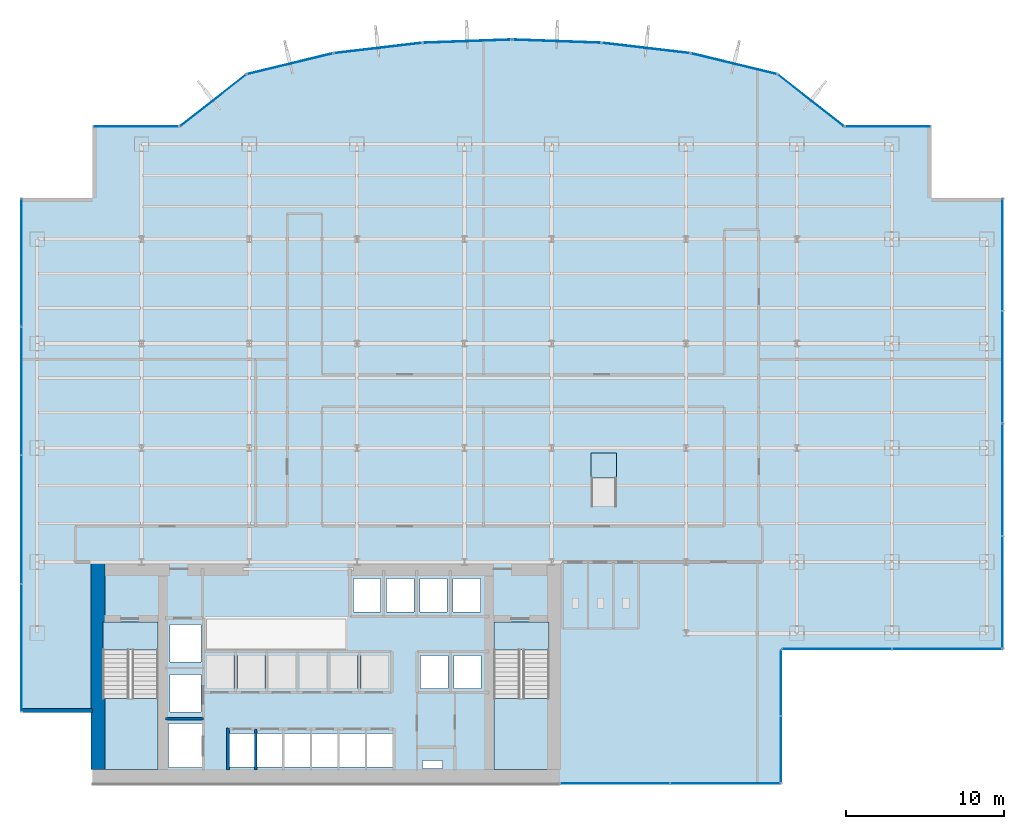
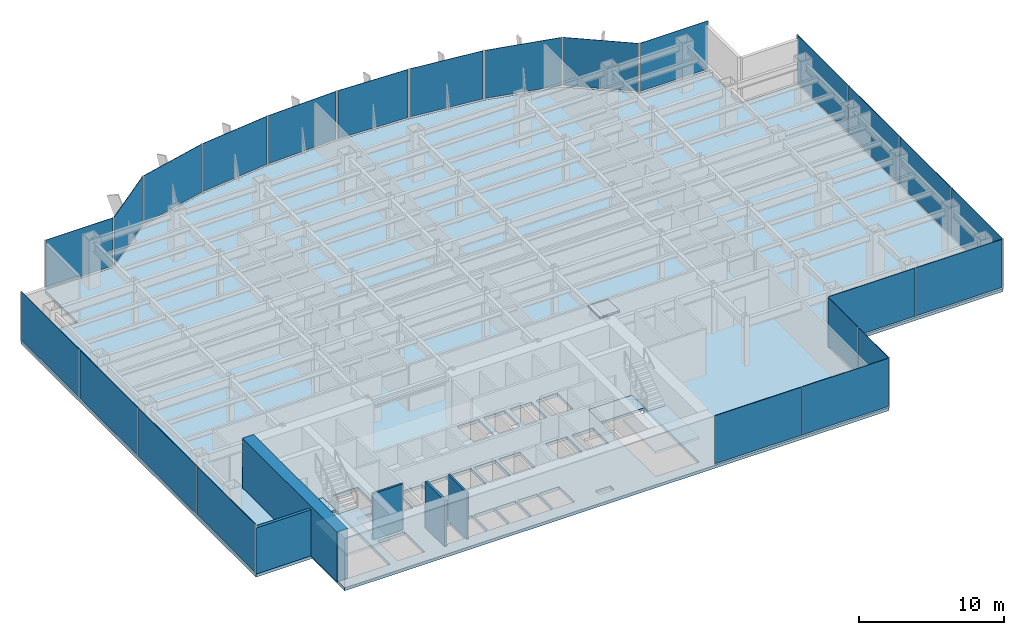
# One storey, part 27 of 35: 24 plates, 6 slabs, 5 walls, 18 elements without a shape of their own.
"""IFC4 building model written with IfcOpenShell, lengths in metres."""

from ifc_helpers import new_model, si_unit, derived_unit, direction, frame, frame_2d, origin, origin_2d, place, context, subcontext, project, spatial, polyline, rectangle, outline, extrude, source, transform, mapped, material, layer, layer_set, type_object, element, aggregate, save


model = new_model("IFC4")

# Units and contexts
model_context = context("Model", 3, precision=1e-05, world=origin(), true_north=direction((0.0, 1.0)))
body_context = subcontext(model_context, "Body", "Model", "MODEL_VIEW")
ifc_project = project(units=[si_unit("LENGTHUNIT", "METRE"), si_unit("AREAUNIT", "SQUARE_METRE"), si_unit("VOLUMEUNIT", "CUBIC_METRE"), si_unit("PLANEANGLEUNIT", "RADIAN"), si_unit("MASSUNIT", "GRAM", prefix="KILO"), derived_unit("THERMALTRANSMITTANCEUNIT", [(si_unit("POWERUNIT", "WATT"), 1), (si_unit("LENGTHUNIT", "METRE"), -2), (si_unit("THERMODYNAMICTEMPERATUREUNIT", "KELVIN"), -1)])], contexts=[model_context])

# Site, building, storey
site_placement = place(None, origin())
site = spatial("IfcSite", under=ifc_project, at=site_placement, CompositionType="ELEMENT")
building_placement = place(site_placement, origin())
building = spatial("IfcBuilding", under=site, at=building_placement, Name="Skarnbrae Concourse Arena and Tower", CompositionType="ELEMENT")
storey_placement = place(building_placement, frame((0.0, 0.0, 79.949951171875)))
storey = spatial("IfcBuildingStorey", under=building, at=storey_placement, Name="L19", CompositionType="ELEMENT", Elevation=79.949951171875)

# Stair, slab
ifc_material_1 = material(Name="Concrete 40 MPa (C40/50)", Category="concrete")
stair_type = type_object("IfcStairType", Name="STAIR-DOGLEG-1650", PredefinedType="HALF_TURN_STAIR", material=ifc_material_1)
stair_1_placement = place(storey_placement, origin())
stair_1 = element("IfcStair", 1, at=stair_1_placement, inside=storey, type_object=stair_type, Name="L19 Protected Exit Stair ST-1", PredefinedType="HALF_TURN_STAIR")
ifc_layer_1 = layer(ifc_material_1, 0.199951171875)
ifc_layer_set_1 = layer_set([ifc_layer_1], Name="Concrete 40 MPa (C40/50)")
slab_type_1 = type_object("IfcSlabType", Name="SLAB-LANDING-200", PredefinedType="LANDING", material=ifc_layer_set_1)
slab_1_placement = place(storey_placement, frame((0.0, 0.0, 1.900146484375)))
slab_1 = element("IfcSlab", 2, at=slab_1_placement, type_object=slab_type_1, Name="ST-1 landing 1", PredefinedType="LANDING", context=body_context, shape_type="SweptSolid", body=[
    extrude(outline(polyline([(5.14990234375, 5.3701171875), (5.14990234375, 0.89990234375), (8.64990234375, 0.89990234375), (8.64990234375, 5.3701171875), (5.14990234375, 5.3701171875)])), origin(), (0.0, 0.0, 1.0), 0.199951171875),
])
aggregate(stair_1, [slab_1])

stair_2_placement = place(storey_placement, origin())
stair_2 = element("IfcStair", 3, at=stair_2_placement, inside=storey, type_object=stair_type, Name="L19 Protected Exit Stair ST-2", PredefinedType="HALF_TURN_STAIR")
slab_2_placement = place(storey_placement, frame((0.0, 0.0, 1.900146484375)))
slab_2 = element("IfcSlab", 4, at=slab_2_placement, type_object=slab_type_1, Name="ST-2 landing 1", PredefinedType="LANDING", context=body_context, shape_type="SweptSolid", body=[
    extrude(outline(polyline([(29.85009765625, 5.3701171875), (29.85009765625, 0.89990234375), (33.35009765625, 0.89990234375), (33.35009765625, 5.3701171875), (29.85009765625, 5.3701171875)])), origin(), (0.0, 0.0, 1.0), 0.199951171875),
])
aggregate(stair_2, [slab_2])

# Slabs
slab_3_placement = place(storey_placement, frame((0.0, 0.0, -0.199951171875)))
element("IfcSlab", 5, at=slab_3_placement, inside=storey, type_object=slab_type_1, Name="L19 Core stair ST1 floor landing", PredefinedType="LANDING", context=body_context, shape_type="SweptSolid", body=[
    extrude(outline(polyline([(5.14990234375, 10.199951171875), (5.14990234375, 8.449951171875), (8.64990234375, 8.449951171875), (8.64990234375, 10.199951171875), (5.14990234375, 10.199951171875)])), origin(), (0.0, 0.0, 1.0), 0.199951171875),
])
slab_4_placement = place(storey_placement, frame((0.0, 0.0, -0.199951171875)))
element("IfcSlab", 6, at=slab_4_placement, inside=storey, type_object=slab_type_1, Name="L19 Core stair ST2 floor landing", PredefinedType="LANDING", context=body_context, shape_type="SweptSolid", body=[
    extrude(outline(polyline([(29.85009765625, 10.199951171875), (29.85009765625, 8.449951171875), (33.35009765625, 8.449951171875), (33.35009765625, 10.199951171875), (29.85009765625, 10.199951171875)])), origin(), (0.0, 0.0, 1.0), 0.199951171875),
])

# Ramp, slab
ramp_type = type_object("IfcRampType", Name="RAMP-ACC-1600", PredefinedType="STRAIGHT_RUN_RAMP", material=ifc_material_1)
ramp_placement = place(storey_placement, origin())
ramp = element("IfcRamp", 7, at=ramp_placement, inside=storey, type_object=ramp_type, Name="L19 Barrier-free accessible ramp R-A05", PredefinedType="STRAIGHT_RUN_RAMP")
slab_5_placement = place(storey_placement, origin())
slab_5 = element("IfcSlab", 8, at=slab_5_placement, type_object=slab_type_1, Name="L19 Accessible ramp top landing", PredefinedType="LANDING", context=body_context, shape_type="SweptSolid", body=[
    extrude(outline(polyline([(36.0, 19.300048828125), (37.60009765625, 19.300048828125), (37.60009765625, 20.89990234375), (36.0, 20.89990234375), (36.0, 19.300048828125)])), origin(), (0.0, 0.0, 1.0), 0.14013671875),
])
aggregate(ramp, [slab_5])

# Slab
ifc_layer_2 = layer(ifc_material_1, 0.25)
ifc_layer_set_2 = layer_set([ifc_layer_2], Name="Concrete 40 MPa (C40/50)")
slab_type_2 = type_object("IfcSlabType", Name="SLAB-TOWER-250", PredefinedType="FLOOR", material=ifc_layer_set_2)
slab_6_placement = place(storey_placement, frame((0.0, 0.0, -0.25)))
element("IfcSlab", 9, at=slab_6_placement, inside=storey, type_object=slab_type_2, Name="L19 Structural floor slab", PredefinedType="FLOOR", context=body_context, shape_type="SweptSolid", body=[
    extrude(outline(polyline([(4.5, 0.0), (48.0, 0.0), (48.0, 8.5), (62.0, 8.5), (62.0, 37.0), (57.5, 37.0), (57.5, 41.5), (52.0, 41.5), (47.766357421875, 44.811767578125), (42.2724609375, 46.140380859375), (36.65380859375, 46.796875), (31.0, 47.0), (25.34619140625, 46.796875), (19.7275390625, 46.140380859375), (14.233642578125, 44.811767578125), (10.0, 41.5), (4.5, 41.5), (4.5, 37.0), (0.0, 37.0), (0.0, 4.5), (4.5, 4.5), (4.5, 0.0)]), holes=[polyline([(13.14501953125, 3.155029296875), (14.7548828125, 3.155029296875), (14.7548828125, 1.044921875), (13.14501953125, 1.044921875), (13.14501953125, 3.155029296875)]), polyline([(16.4951171875, 3.155029296875), (16.4951171875, 1.044921875), (14.885009765625, 1.044921875), (14.885009765625, 3.155029296875), (16.4951171875, 3.155029296875)]), polyline([(18.235107421875, 3.155029296875), (18.235107421875, 1.044921875), (16.625, 1.044921875), (16.625, 3.155029296875), (18.235107421875, 3.155029296875)]), polyline([(18.364990234375, 3.155029296875), (19.97509765625, 3.155029296875), (19.97509765625, 1.044921875), (18.364990234375, 1.044921875), (18.364990234375, 3.155029296875)]), polyline([(11.455078125, 3.780029296875), (11.455078125, 1.02001953125), (9.294921875, 1.02001953125), (9.294921875, 3.780029296875), (11.455078125, 3.780029296875)]), polyline([(8.64990234375, 0.89990234375), (5.14990234375, 0.89990234375), (5.14990234375, 10.199951171875), (8.64990234375, 10.199951171875), (8.64990234375, 0.89990234375)]), polyline([(9.39501953125, 6.8798828125), (11.35498046875, 6.8798828125), (11.35498046875, 4.52001953125), (9.39501953125, 4.52001953125), (9.39501953125, 6.8798828125)]), polyline([(13.429931640625, 8.10498046875), (13.429931640625, 5.9951171875), (11.719970703125, 5.9951171875), (11.719970703125, 8.10498046875), (13.429931640625, 8.10498046875)]), polyline([(15.3798828125, 8.10498046875), (15.3798828125, 5.9951171875), (13.669921875, 5.9951171875), (13.669921875, 8.10498046875), (15.3798828125, 8.10498046875)]), polyline([(15.6201171875, 8.10498046875), (17.330078125, 8.10498046875), (17.330078125, 5.9951171875), (15.6201171875, 5.9951171875), (15.6201171875, 8.10498046875)]), polyline([(19.280029296875, 8.10498046875), (19.280029296875, 5.9951171875), (17.570068359375, 5.9951171875), (17.570068359375, 8.10498046875), (19.280029296875, 8.10498046875)]), polyline([(11.35498046875, 10.054931640625), (11.35498046875, 7.695068359375), (9.39501953125, 7.695068359375), (9.39501953125, 10.054931640625), (11.35498046875, 10.054931640625)]), polyline([(25.35009765625, 1.449951171875), (26.60009765625, 1.449951171875), (26.60009765625, 0.949951171875), (25.35009765625, 0.949951171875), (25.35009765625, 1.449951171875)]), polyline([(21.715087890625, 3.155029296875), (21.715087890625, 1.044921875), (20.10498046875, 1.044921875), (20.10498046875, 3.155029296875), (21.715087890625, 3.155029296875)]), polyline([(23.455078125, 3.155029296875), (23.455078125, 1.044921875), (21.844970703125, 1.044921875), (21.844970703125, 3.155029296875), (23.455078125, 3.155029296875)]), polyline([(33.35009765625, 10.199951171875), (33.35009765625, 0.89990234375), (29.85009765625, 0.89990234375), (29.85009765625, 10.199951171875), (33.35009765625, 10.199951171875)]), polyline([(21.22998046875, 8.10498046875), (21.22998046875, 5.9951171875), (19.52001953125, 5.9951171875), (19.52001953125, 8.10498046875), (21.22998046875, 8.10498046875)]), polyline([(23.179931640625, 8.10498046875), (23.179931640625, 5.9951171875), (21.469970703125, 5.9951171875), (21.469970703125, 8.10498046875), (23.179931640625, 8.10498046875)]), polyline([(25.235107421875, 8.10498046875), (26.945068359375, 8.10498046875), (26.945068359375, 5.9951171875), (25.235107421875, 5.9951171875), (25.235107421875, 8.10498046875)]), polyline([(29.044921875, 8.10498046875), (29.044921875, 5.9951171875), (27.3349609375, 5.9951171875), (27.3349609375, 8.10498046875), (29.044921875, 8.10498046875)]), polyline([(22.695068359375, 12.955078125), (22.695068359375, 10.844970703125), (20.985107421875, 10.844970703125), (20.985107421875, 12.955078125), (22.695068359375, 12.955078125)]), polyline([(23.0849609375, 12.955078125), (24.794921875, 12.955078125), (24.794921875, 10.844970703125), (23.0849609375, 10.844970703125), (23.0849609375, 12.955078125)]), polyline([(26.89501953125, 12.955078125), (26.89501953125, 10.844970703125), (25.18505859375, 10.844970703125), (25.18505859375, 12.955078125), (26.89501953125, 12.955078125)]), polyline([(28.9951171875, 12.955078125), (28.9951171875, 10.844970703125), (27.284912109375, 10.844970703125), (27.284912109375, 12.955078125), (28.9951171875, 12.955078125)])]), origin(), (0.0, 0.0, 1.0), 0.25),
])

# Curtain wall, plates
ifc_material_2 = material(Name="Bronze anodised aluminium 6063-T6", Category="aluminium")
curtain_wall_type = type_object("IfcCurtainWallType", Name="CW-SYS-06-SKYLOBBY", PredefinedType="USERDEFINED", material=ifc_material_2)
curtain_wall_1_placement = place(storey_placement, origin())
curtain_wall_1 = element("IfcCurtainWall", 10, at=curtain_wall_1_placement, inside=storey, type_object=curtain_wall_type, Name="L19 Unitised curtain wall CW-L19-SE-SPINE", ObjectType="UNITISED CURTAIN WALL", PredefinedType="USERDEFINED")
ifc_material_3 = material(Name="Low-E triple insulating glass", Category="glass")
ifc_layer_3 = layer(ifc_material_3, 0.0380859375)
ifc_layer_set_3 = layer_set([ifc_layer_3], Name="Low-E triple insulating glass")
plate_type = type_object("IfcPlateType", Name="CWP-CW-06", PredefinedType="CURTAIN_PANEL", material=ifc_layer_set_3)
shared_shape_1 = source(origin(), body_context, "Body", "SweptSolid", [
    extrude(rectangle(XDim=6.89501953125, YDim=0.0380859375, at=origin_2d()), origin(), (0.0, 0.0, 1.0), 4.06494140625),
])
plate_1_placement = place(storey_placement, frame((37.517578125, 0.0, 0.135009765625), z_axis=(0.0, 0.0, 1.0), x_axis=(1.0, 0.0, 0.0)))
plate_1 = element("IfcPlate", 11, at=plate_1_placement, type_object=plate_type, Name="CW-L19-SE-SPINE Low-E Glazing Panel 1", PredefinedType="CURTAIN_PANEL", context=body_context, shape_type="MappedRepresentation", body=[
    mapped(shared_shape_1, transform((0.0, 0.0, 0.0))),
])
plate_2_placement = place(storey_placement, frame((44.482421875, 0.0, 0.135009765625), z_axis=(0.0, 0.0, 1.0), x_axis=(1.0, 0.0, 0.0)))
plate_2 = element("IfcPlate", 12, at=plate_2_placement, type_object=plate_type, Name="CW-L19-SE-SPINE Low-E Glazing Panel 2", PredefinedType="CURTAIN_PANEL", context=body_context, shape_type="MappedRepresentation", body=[
    mapped(shared_shape_1, transform((0.0, 0.0, 0.0))),
])
aggregate(curtain_wall_1, [plate_1, plate_2])

curtain_wall_2_placement = place(storey_placement, origin())
curtain_wall_2 = element("IfcCurtainWall", 13, at=curtain_wall_2_placement, inside=storey, type_object=curtain_wall_type, Name="L19 Unitised curtain wall CW-L19-E03", ObjectType="UNITISED CURTAIN WALL", PredefinedType="USERDEFINED")
plate_3_placement = place(storey_placement, frame((51.517578125, 8.5, 0.135009765625), z_axis=(0.0, 0.0, 1.0), x_axis=(1.0, 0.0, 0.0)))
plate_3 = element("IfcPlate", 14, at=plate_3_placement, type_object=plate_type, Name="CW-L19-E03 Low-E Glazing Panel 1", PredefinedType="CURTAIN_PANEL", context=body_context, shape_type="MappedRepresentation", body=[
    mapped(shared_shape_1, transform((0.0, 0.0, 0.0))),
])
plate_4_placement = place(storey_placement, frame((58.482421875, 8.5, 0.135009765625), z_axis=(0.0, 0.0, 1.0), x_axis=(1.0, 0.0, 0.0)))
plate_4 = element("IfcPlate", 15, at=plate_4_placement, type_object=plate_type, Name="CW-L19-E03 Low-E Glazing Panel 2", PredefinedType="CURTAIN_PANEL", context=body_context, shape_type="MappedRepresentation", body=[
    mapped(shared_shape_1, transform((0.0, 0.0, 0.0))),
])
aggregate(curtain_wall_2, [plate_3, plate_4])

curtain_wall_3_placement = place(storey_placement, origin())
curtain_wall_3 = element("IfcCurtainWall", 16, at=curtain_wall_3_placement, inside=storey, type_object=curtain_wall_type, Name="L19 Unitised curtain wall CW-L19-E02", ObjectType="UNITISED CURTAIN WALL", PredefinedType="USERDEFINED")
shared_shape_2 = source(origin(), body_context, "Body", "SweptSolid", [
    extrude(rectangle(XDim=4.14501953125, YDim=0.0380859375, at=origin_2d()), origin(), (0.0, 0.0, 1.0), 4.06494140625),
])
plate_5_placement = place(storey_placement, frame((48.0, 2.142578125, 0.135009765625), z_axis=(0.0, 0.0, 1.0), x_axis=(0.0, 1.0, 0.0)))
plate_5 = element("IfcPlate", 17, at=plate_5_placement, type_object=plate_type, Name="CW-L19-E02 Low-E Glazing Panel 1", PredefinedType="CURTAIN_PANEL", context=body_context, shape_type="MappedRepresentation", body=[
    mapped(shared_shape_2, transform((0.0, 0.0, 0.0))),
])
plate_6_placement = place(storey_placement, frame((48.0, 6.357421875, 0.135009765625), z_axis=(0.0, 0.0, 1.0), x_axis=(0.0, 1.0, 0.0)))
plate_6 = element("IfcPlate", 18, at=plate_6_placement, type_object=plate_type, Name="CW-L19-E02 Low-E Glazing Panel 2", PredefinedType="CURTAIN_PANEL", context=body_context, shape_type="MappedRepresentation", body=[
    mapped(shared_shape_2, transform((0.0, 0.0, 0.0))),
])
aggregate(curtain_wall_3, [plate_5, plate_6])

curtain_wall_4_placement = place(storey_placement, origin())
curtain_wall_4 = element("IfcCurtainWall", 19, at=curtain_wall_4_placement, inside=storey, type_object=curtain_wall_type, Name="L19 Unitised curtain wall CW-L19-E04", ObjectType="UNITISED CURTAIN WALL", PredefinedType="USERDEFINED")
shared_shape_3 = source(origin(), body_context, "Body", "SweptSolid", [
    extrude(rectangle(XDim=7.02001953125, YDim=0.0380859375, at=origin_2d()), origin(), (0.0, 0.0, 1.0), 4.06494140625),
])
plate_7_placement = place(storey_placement, frame((62.0, 12.080078125, 0.135009765625), z_axis=(0.0, 0.0, 1.0), x_axis=(0.0, 1.0, 0.0)))
plate_7 = element("IfcPlate", 20, at=plate_7_placement, type_object=plate_type, Name="CW-L19-E04 Low-E Glazing Panel 1", PredefinedType="CURTAIN_PANEL", context=body_context, shape_type="MappedRepresentation", body=[
    mapped(shared_shape_3, transform((0.0, 0.0, 0.0))),
])
plate_8_placement = place(storey_placement, frame((62.0, 33.419921875, 0.135009765625), z_axis=(0.0, 0.0, 1.0), x_axis=(0.0, 1.0, 0.0)))
plate_8 = element("IfcPlate", 21, at=plate_8_placement, type_object=plate_type, Name="CW-L19-E04 Low-E Glazing Panel 4", PredefinedType="CURTAIN_PANEL", context=body_context, shape_type="MappedRepresentation", body=[
    mapped(shared_shape_3, transform((0.0, 0.0, 0.0))),
])
shared_shape_4 = source(origin(), body_context, "Body", "SweptSolid", [
    extrude(rectangle(XDim=7.054931640625, YDim=0.0380859375, at=origin_2d()), origin(), (0.0, 0.0, 1.0), 4.06494140625),
])
plate_9_placement = place(storey_placement, frame((62.0, 19.1875, 0.135009765625), z_axis=(0.0, 0.0, 1.0), x_axis=(0.0, 1.0, 0.0)))
plate_9 = element("IfcPlate", 22, at=plate_9_placement, type_object=plate_type, Name="CW-L19-E04 Low-E Glazing Panel 2", PredefinedType="CURTAIN_PANEL", context=body_context, shape_type="MappedRepresentation", body=[
    mapped(shared_shape_4, transform((0.0, 0.0, 0.0))),
])
plate_10_placement = place(storey_placement, frame((62.0, 26.3125, 0.135009765625), z_axis=(0.0, 0.0, 1.0), x_axis=(0.0, 1.0, 0.0)))
plate_10 = element("IfcPlate", 23, at=plate_10_placement, type_object=plate_type, Name="CW-L19-E04 Low-E Glazing Panel 3", PredefinedType="CURTAIN_PANEL", context=body_context, shape_type="MappedRepresentation", body=[
    mapped(shared_shape_4, transform((0.0, 0.0, 0.0))),
])
aggregate(curtain_wall_4, [plate_7, plate_9, plate_10, plate_8])

# Curtain wall, plate
curtain_wall_5_placement = place(storey_placement, origin())
curtain_wall_5 = element("IfcCurtainWall", 24, at=curtain_wall_5_placement, inside=storey, type_object=curtain_wall_type, Name="L19 Unitised curtain wall CW-L19-E07", ObjectType="UNITISED CURTAIN WALL", PredefinedType="USERDEFINED")
shared_shape_5 = source(origin(), body_context, "Body", "SweptSolid", [
    extrude(rectangle(XDim=5.360107421875, YDim=0.0380859375, at=origin_2d()), origin(), (0.0, 0.0, 1.0), 4.06494140625),
])
plate_11_placement = place(storey_placement, frame((54.75, 41.5, 0.135009765625), z_axis=(0.0, 0.0, 1.0), x_axis=(-1.0, 0.0, 0.0)))
plate_11 = element("IfcPlate", 25, at=plate_11_placement, type_object=plate_type, Name="CW-L19-E07 Low-E Glazing Panel 1", PredefinedType="CURTAIN_PANEL", context=body_context, shape_type="MappedRepresentation", body=[
    mapped(shared_shape_5, transform((0.0, 0.0, 0.0))),
])
aggregate(curtain_wall_5, [plate_11])

curtain_wall_6_placement = place(storey_placement, origin())
curtain_wall_6 = element("IfcCurtainWall", 26, at=curtain_wall_6_placement, inside=storey, type_object=curtain_wall_type, Name="L19 Unitised curtain wall CW-L19-E16", ObjectType="UNITISED CURTAIN WALL", PredefinedType="USERDEFINED")
plate_12_placement = place(storey_placement, frame((7.25, 41.5, 0.135009765625), z_axis=(0.0, 0.0, 1.0), x_axis=(-1.0, 0.0, 0.0)))
plate_12 = element("IfcPlate", 27, at=plate_12_placement, type_object=plate_type, Name="CW-L19-E16 Low-E Glazing Panel 1", PredefinedType="CURTAIN_PANEL", context=body_context, shape_type="MappedRepresentation", body=[
    mapped(shared_shape_5, transform((0.0, 0.0, 0.0))),
])
aggregate(curtain_wall_6, [plate_12])

curtain_wall_7_placement = place(storey_placement, origin())
curtain_wall_7 = element("IfcCurtainWall", 28, at=curtain_wall_7_placement, inside=storey, type_object=curtain_wall_type, Name="L19 Unitised curtain wall CW-L19-E08", ObjectType="UNITISED CURTAIN WALL", PredefinedType="USERDEFINED")
shared_shape_6 = source(origin(), body_context, "Body", "SweptSolid", [
    extrude(rectangle(XDim=5.235107421875, YDim=0.0380859375, at=origin_2d()), origin(), (0.0, 0.0, 1.0), 4.06494140625),
])
plate_13_placement = place(storey_placement, frame((49.88330078125, 43.156005859375, 0.135009765625), z_axis=(0.0, 0.0, 1.0), x_axis=(-0.787651726054, 0.616120733658, 0.0)))
plate_13 = element("IfcPlate", 29, at=plate_13_placement, type_object=plate_type, Name="CW-L19-E08 Low-E Glazing Panel 1", PredefinedType="CURTAIN_PANEL", context=body_context, shape_type="MappedRepresentation", body=[
    mapped(shared_shape_6, transform((0.0, 0.0, 0.0))),
])
aggregate(curtain_wall_7, [plate_13])

curtain_wall_8_placement = place(storey_placement, origin())
curtain_wall_8 = element("IfcCurtainWall", 30, at=curtain_wall_8_placement, inside=storey, type_object=curtain_wall_type, Name="L19 Unitised curtain wall CW-L19-E15", ObjectType="UNITISED CURTAIN WALL", PredefinedType="USERDEFINED")
plate_14_placement = place(storey_placement, frame((12.11669921875, 43.156005859375, 0.135009765625), z_axis=(0.0, 0.0, 1.0), x_axis=(-0.787651726054, -0.616120733658, 0.0)))
plate_14 = element("IfcPlate", 31, at=plate_14_placement, type_object=plate_type, Name="CW-L19-E15 Low-E Glazing Panel 1", PredefinedType="CURTAIN_PANEL", context=body_context, shape_type="MappedRepresentation", body=[
    mapped(shared_shape_6, transform((0.0, 0.0, 0.0))),
])
aggregate(curtain_wall_8, [plate_14])

curtain_wall_9_placement = place(storey_placement, origin())
curtain_wall_9 = element("IfcCurtainWall", 32, at=curtain_wall_9_placement, inside=storey, type_object=curtain_wall_type, Name="L19 Unitised curtain wall CW-L19-E09", ObjectType="UNITISED CURTAIN WALL", PredefinedType="USERDEFINED")
shared_shape_7 = source(origin(), body_context, "Body", "SweptSolid", [
    extrude(rectangle(XDim=5.51220703125, YDim=0.0380859375, at=origin_2d()), origin(), (0.0, 0.0, 1.0), 4.06494140625),
])
plate_15_placement = place(storey_placement, frame((45.019287109375, 45.47607421875, 0.135009765625), z_axis=(0.0, 0.0, 1.0), x_axis=(-0.971973721569, 0.235089524607, 0.0)))
plate_15 = element("IfcPlate", 33, at=plate_15_placement, type_object=plate_type, Name="CW-L19-E09 Low-E Glazing Panel 1", PredefinedType="CURTAIN_PANEL", context=body_context, shape_type="MappedRepresentation", body=[
    mapped(shared_shape_7, transform((0.0, 0.0, 0.0))),
])
aggregate(curtain_wall_9, [plate_15])

curtain_wall_10_placement = place(storey_placement, origin())
curtain_wall_10 = element("IfcCurtainWall", 34, at=curtain_wall_10_placement, inside=storey, type_object=curtain_wall_type, Name="L19 Unitised curtain wall CW-L19-E14", ObjectType="UNITISED CURTAIN WALL", PredefinedType="USERDEFINED")
plate_16_placement = place(storey_placement, frame((16.980712890625, 45.47607421875, 0.135009765625), z_axis=(0.0, 0.0, 1.0), x_axis=(-0.971973721569, -0.235089524607, 0.0)))
plate_16 = element("IfcPlate", 35, at=plate_16_placement, type_object=plate_type, Name="CW-L19-E14 Low-E Glazing Panel 1", PredefinedType="CURTAIN_PANEL", context=body_context, shape_type="MappedRepresentation", body=[
    mapped(shared_shape_7, transform((0.0, 0.0, 0.0))),
])
aggregate(curtain_wall_10, [plate_16])

curtain_wall_11_placement = place(storey_placement, origin())
curtain_wall_11 = element("IfcCurtainWall", 36, at=curtain_wall_11_placement, inside=storey, type_object=curtain_wall_type, Name="L19 Unitised curtain wall CW-L19-E10", ObjectType="UNITISED CURTAIN WALL", PredefinedType="USERDEFINED")
shared_shape_8 = source(origin(), body_context, "Body", "SweptSolid", [
    extrude(rectangle(XDim=5.5166015625, YDim=0.0380859375, at=origin_2d()), origin(), (0.0, 0.0, 1.0), 4.06494140625),
])
plate_17_placement = place(storey_placement, frame((39.463134765625, 46.46875, 0.135009765625), z_axis=(0.0, 0.0, 1.0), x_axis=(-0.99324457001, 0.116039752435, 0.0)))
plate_17 = element("IfcPlate", 37, at=plate_17_placement, type_object=plate_type, Name="CW-L19-E10 Low-E Glazing Panel 1", PredefinedType="CURTAIN_PANEL", context=body_context, shape_type="MappedRepresentation", body=[
    mapped(shared_shape_8, transform((0.0, 0.0, 0.0))),
])
aggregate(curtain_wall_11, [plate_17])

curtain_wall_12_placement = place(storey_placement, origin())
curtain_wall_12 = element("IfcCurtainWall", 38, at=curtain_wall_12_placement, inside=storey, type_object=curtain_wall_type, Name="L19 Unitised curtain wall CW-L19-E13", ObjectType="UNITISED CURTAIN WALL", PredefinedType="USERDEFINED")
plate_18_placement = place(storey_placement, frame((22.536865234375, 46.46875, 0.135009765625), z_axis=(0.0, 0.0, 1.0), x_axis=(-0.99324457001, -0.116039752435, 0.0)))
plate_18 = element("IfcPlate", 39, at=plate_18_placement, type_object=plate_type, Name="CW-L19-E13 Low-E Glazing Panel 1", PredefinedType="CURTAIN_PANEL", context=body_context, shape_type="MappedRepresentation", body=[
    mapped(shared_shape_8, transform((0.0, 0.0, 0.0))),
])
aggregate(curtain_wall_12, [plate_18])

curtain_wall_13_placement = place(storey_placement, origin())
curtain_wall_13 = element("IfcCurtainWall", 40, at=curtain_wall_13_placement, inside=storey, type_object=curtain_wall_type, Name="L19 Unitised curtain wall CW-L19-E11", ObjectType="UNITISED CURTAIN WALL", PredefinedType="USERDEFINED")
shared_shape_9 = source(origin(), body_context, "Body", "SweptSolid", [
    extrude(rectangle(XDim=5.517578125, YDim=0.0380859375, at=origin_2d()), origin(), (0.0, 0.0, 1.0), 4.06494140625),
])
plate_19_placement = place(storey_placement, frame((33.826904296875, 46.8984375, 0.135009765625), z_axis=(0.0, 0.0, 1.0), x_axis=(-0.999355425188, 0.035898943527, 0.0)))
plate_19 = element("IfcPlate", 41, at=plate_19_placement, type_object=plate_type, Name="CW-L19-E11 Low-E Glazing Panel 1", PredefinedType="CURTAIN_PANEL", context=body_context, shape_type="MappedRepresentation", body=[
    mapped(shared_shape_9, transform((0.0, 0.0, 0.0))),
])
aggregate(curtain_wall_13, [plate_19])

curtain_wall_14_placement = place(storey_placement, origin())
curtain_wall_14 = element("IfcCurtainWall", 42, at=curtain_wall_14_placement, inside=storey, type_object=curtain_wall_type, Name="L19 Unitised curtain wall CW-L19-E12", ObjectType="UNITISED CURTAIN WALL", PredefinedType="USERDEFINED")
plate_20_placement = place(storey_placement, frame((28.173095703125, 46.8984375, 0.135009765625), z_axis=(0.0, 0.0, 1.0), x_axis=(-0.999355425188, -0.035898943527, 0.0)))
plate_20 = element("IfcPlate", 43, at=plate_20_placement, type_object=plate_type, Name="CW-L19-E12 Low-E Glazing Panel 1", PredefinedType="CURTAIN_PANEL", context=body_context, shape_type="MappedRepresentation", body=[
    mapped(shared_shape_9, transform((0.0, 0.0, 0.0))),
])
aggregate(curtain_wall_14, [plate_20])

# Curtain wall, plates
curtain_wall_15_placement = place(storey_placement, origin())
curtain_wall_15 = element("IfcCurtainWall", 44, at=curtain_wall_15_placement, inside=storey, type_object=curtain_wall_type, Name="L19 Unitised curtain wall CW-L19-E19", ObjectType="UNITISED CURTAIN WALL", PredefinedType="USERDEFINED")
shared_shape_10 = source(origin(), body_context, "Body", "SweptSolid", [
    extrude(rectangle(XDim=8.02001953125, YDim=0.0380859375, at=origin_2d()), origin(), (0.0, 0.0, 1.0), 4.06494140625),
])
plate_21_placement = place(storey_placement, frame((0.0, 32.919921875, 0.135009765625), z_axis=(0.0, 0.0, 1.0), x_axis=(0.0, -1.0, 0.0)))
plate_21 = element("IfcPlate", 45, at=plate_21_placement, type_object=plate_type, Name="CW-L19-E19 Low-E Glazing Panel 1", PredefinedType="CURTAIN_PANEL", context=body_context, shape_type="MappedRepresentation", body=[
    mapped(shared_shape_10, transform((0.0, 0.0, 0.0))),
])
plate_22_placement = place(storey_placement, frame((0.0, 8.580078125, 0.135009765625), z_axis=(0.0, 0.0, 1.0), x_axis=(0.0, -1.0, 0.0)))
plate_22 = element("IfcPlate", 46, at=plate_22_placement, type_object=plate_type, Name="CW-L19-E19 Low-E Glazing Panel 4", PredefinedType="CURTAIN_PANEL", context=body_context, shape_type="MappedRepresentation", body=[
    mapped(shared_shape_10, transform((0.0, 0.0, 0.0))),
])
shared_shape_11 = source(origin(), body_context, "Body", "SweptSolid", [
    extrude(rectangle(XDim=8.054931640625, YDim=0.0380859375, at=origin_2d()), origin(), (0.0, 0.0, 1.0), 4.06494140625),
])
plate_23_placement = place(storey_placement, frame((0.0, 24.8125, 0.135009765625), z_axis=(0.0, 0.0, 1.0), x_axis=(0.0, -1.0, 0.0)))
plate_23 = element("IfcPlate", 47, at=plate_23_placement, type_object=plate_type, Name="CW-L19-E19 Low-E Glazing Panel 2", PredefinedType="CURTAIN_PANEL", context=body_context, shape_type="MappedRepresentation", body=[
    mapped(shared_shape_11, transform((0.0, 0.0, 0.0))),
])
plate_24_placement = place(storey_placement, frame((0.0, 16.6875, 0.135009765625), z_axis=(0.0, 0.0, 1.0), x_axis=(0.0, -1.0, 0.0)))
plate_24 = element("IfcPlate", 48, at=plate_24_placement, type_object=plate_type, Name="CW-L19-E19 Low-E Glazing Panel 3", PredefinedType="CURTAIN_PANEL", context=body_context, shape_type="MappedRepresentation", body=[
    mapped(shared_shape_11, transform((0.0, 0.0, 0.0))),
])
aggregate(curtain_wall_15, [plate_21, plate_23, plate_24, plate_22])

# Walls
ifc_material_4 = material(Name="Concrete 70 MPa (C70/85)", Category="concrete")
ifc_layer_4 = layer(ifc_material_4, 0.89990234375)
ifc_layer_set_4 = layer_set([ifc_layer_4], Name="Concrete 70 MPa (C70/85)")
wall_type_1 = type_object("IfcWallType", Name="WALL-CORE-900-C70", PredefinedType="SHEAR", material=ifc_layer_set_4)
shared_shape_12 = source(origin(), body_context, "Body", "SweptSolid", [
    extrude(rectangle(XDim=13.10009765625, YDim=0.89990234375, at=frame_2d((6.550048828125, 0.0))), origin(), (0.0, 0.0, 1.0), 4.199951171875),
])
wall_1_placement = place(storey_placement, frame((4.85009765625, 0.89990234375, 0.0), z_axis=(0.0, 0.0, 1.0), x_axis=(0.0, 1.0, 0.0)))
element("IfcWall", 49, at=wall_1_placement, inside=storey, type_object=wall_type_1, Name="L19 Rear core shear wall CW-W", PredefinedType="SHEAR", context=body_context, shape_type="MappedRepresentation", body=[
    mapped(shared_shape_12, transform((0.0, 0.0, 0.0))),
])
ifc_material_5 = material(Name="Precast concrete 40 MPa (C40/50)", Category="concrete")
ifc_layer_5 = layer(ifc_material_5, 0.25)
ifc_layer_set_5 = layer_set([ifc_layer_5], Name="Precast concrete 40 MPa (C40/50)")
wall_type_2 = type_object("IfcWallType", Name="WALL-EXT-SPANDREL-250", PredefinedType="STANDARD", material=ifc_layer_set_5)
shared_shape_13 = source(origin(), body_context, "Body", "SweptSolid", [
    extrude(rectangle(XDim=4.5, YDim=0.25, at=frame_2d((2.25, 0.0))), origin(), (0.0, 0.0, 1.0), 3.900146484375),
])
wall_2_placement = place(storey_placement, frame((0.0, 4.625, 0.0), z_axis=(0.0, 0.0, 1.0), x_axis=(1.0, 0.0, 0.0)))
element("IfcWall", 50, at=wall_2_placement, inside=storey, type_object=wall_type_2, Name="L19 Notched corner insulated return wall 20", PredefinedType="STANDARD", context=body_context, shape_type="MappedRepresentation", body=[
    mapped(shared_shape_13, transform((0.0, 0.0, 0.0))),
])
ifc_material_6 = material(Name="Gypsum board on cold-formed steel studs", Category="steel")
ifc_layer_6 = layer(ifc_material_6, 0.14990234375)
ifc_layer_set_6 = layer_set([ifc_layer_6], Name="Gypsum board on cold-formed steel studs")
wall_type_3 = type_object("IfcWallType", Name="WALL-PART-150", PredefinedType="PARTITIONING", material=ifc_layer_set_6)
shared_shape_14 = source(origin(), body_context, "Body", "SweptSolid", [
    extrude(rectangle(XDim=2.39990234375, YDim=0.14990234375, at=frame_2d((1.199951171875, 0.0))), origin(), (0.0, 0.0, 1.0), 3.900146484375),
])
wall_3_placement = place(storey_placement, frame((9.10009765625, 4.10009765625, 0.0), z_axis=(0.0, 0.0, 1.0), x_axis=(1.0, 0.0, 0.0)))
element("IfcWall", 51, at=wall_3_placement, inside=storey, type_object=wall_type_3, Name="L19 Interior partition wall W-L19-FL-D1", PredefinedType="PARTITIONING", context=body_context, shape_type="MappedRepresentation", body=[
    mapped(shared_shape_14, transform((0.0, 0.0, 0.0))),
])
ifc_layer_7 = layer(ifc_material_6, 0.199951171875)
ifc_layer_set_7 = layer_set([ifc_layer_7], Name="Gypsum board on cold-formed steel studs")
wall_type_4 = type_object("IfcWallType", Name="WALL-PART-200-2HR", PredefinedType="PARTITIONING", material=ifc_layer_set_7)
shared_shape_15 = source(origin(), body_context, "Body", "SweptSolid", [
    extrude(rectangle(XDim=2.64990234375, YDim=0.199951171875, at=frame_2d((1.324951171875, 0.0))), origin(), (0.0, 0.0, 1.0), 3.900146484375),
])
wall_4_placement = place(storey_placement, frame((13.050048828125, 0.85009765625, 0.0), z_axis=(0.0, 0.0, 1.0), x_axis=(0.0, 1.0, 0.0)))
element("IfcWall", 52, at=wall_4_placement, inside=storey, type_object=wall_type_4, Name="L19 Interior partition wall W-L19-B1-W", PredefinedType="PARTITIONING", context=body_context, shape_type="MappedRepresentation", body=[
    mapped(shared_shape_15, transform((0.0, 0.0, 0.0))),
])
shared_shape_16 = source(origin(), body_context, "Body", "SweptSolid", [
    extrude(rectangle(XDim=2.599853515625, YDim=0.14990234375, at=frame_2d((1.2998046875, 0.0))), origin(), (0.0, 0.0, 1.0), 3.900146484375),
])
wall_5_placement = place(storey_placement, frame((14.820068359375, 0.85009765625, 0.0), z_axis=(0.0, 0.0, 1.0), x_axis=(0.0, 1.0, 0.0)))
element("IfcWall", 53, at=wall_5_placement, inside=storey, type_object=wall_type_3, Name="L19 Interior partition wall W-L19-B1-P1", PredefinedType="PARTITIONING", context=body_context, shape_type="MappedRepresentation", body=[
    mapped(shared_shape_16, transform((0.0, 0.0, 0.0))),
])

save(model, "model.ifc")
